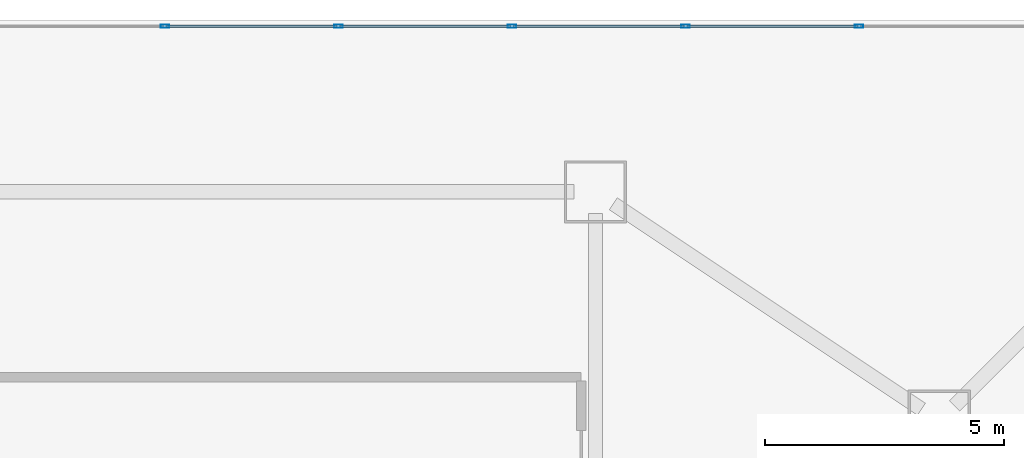
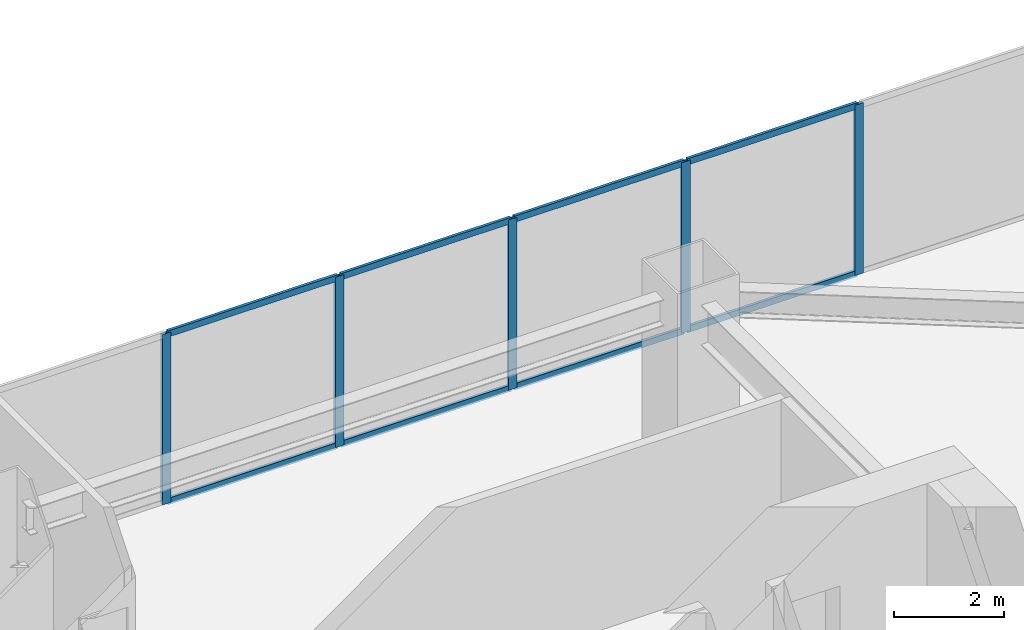
# One storey, part 16 of 32: 13 members, 1 element without a shape of its own.
"""IFC4 building model written with IfcOpenShell, lengths in metres."""

import ifcopenshell
import ifcopenshell.guid

model = None  # the IFC model being written
_history = None  # IfcOwnerHistory: only IFC2X3 demands one
_inside = {}  # id of a spatial element -> (the spatial element, [elements in it])
_under = {}  # id of a project, library or spatial element -> (it, [spatial elements below it])
_declared = {}  # id of a project -> (the project, [libraries it declares])
_typed = {}  # id of a type object -> (the type object, [elements of that type])
_made_of = {}  # id of a material, layer set ... -> (it, [elements and type objects made of it])


def new_model(schema):
    """Start an empty IFC model of exactly this schema.

    Asked for "IFC4X3", IfcOpenShell would pick the latest addendum, in which some entities
    have other attributes; the version numbers below select the first issue.
    IFC2X3 requires an IfcOwnerHistory on every rooted entity: one is made here for all.
    """
    global model, _history
    if schema == "IFC4X3":
        model = ifcopenshell.file(schema_version=(4, 3, 0, 0))
    else:
        model = ifcopenshell.file(schema=schema)
    _inside.clear()
    _under.clear()
    _declared.clear()
    _typed.clear()
    _made_of.clear()
    _history = None
    if model.schema == "IFC2X3":
        org = make("IfcOrganization", Name="unknown")
        user = make(
            "IfcPersonAndOrganization",
            ThePerson=make("IfcPerson", FamilyName="unknown"),
            TheOrganization=org,
        )
        app = make(
            "IfcApplication",
            ApplicationDeveloper=org,
            Version="unknown",
            ApplicationFullName="unknown",
            ApplicationIdentifier="unknown",
        )
        _history = make(
            "IfcOwnerHistory",
            OwningUser=user,
            OwningApplication=app,
            ChangeAction="ADDED",
            CreationDate=0,
        )
    return model


def make(cls, **values):
    """One entity of the class cls with the attributes given. An attribute that is None is left unset."""
    return model.create_entity(
        cls, **{name: value for name, value in values.items() if value is not None}
    )


def rooted(cls, **values):
    """An entity with a GlobalId (a new one), such as an element, a storey or a relation."""
    return make(cls, GlobalId=ifcopenshell.guid.new(), OwnerHistory=_history, **values)


def si_unit(unit_type, name, prefix=None):
    """IfcSIUnit, for example si_unit("LENGTHUNIT", "METRE", prefix="MILLI")."""
    return make("IfcSIUnit", UnitType=unit_type, Prefix=prefix, Name=name)


def assignment(units):
    """IfcUnitAssignment: the units of a project."""
    return None if units is None else make("IfcUnitAssignment", Units=units)


def point(xyz):
    """IfcCartesianPoint."""
    return None if xyz is None else make("IfcCartesianPoint", Coordinates=xyz)


def direction(xyz):
    """IfcDirection."""
    return None if xyz is None else make("IfcDirection", DirectionRatios=xyz)


def frame(location, z_axis=None, x_axis=None):
    """IfcAxis2Placement3D, a coordinate frame: its origin and axes. An axis left out is left unset."""
    return make(
        "IfcAxis2Placement3D",
        Location=point(location),
        Axis=direction(z_axis),
        RefDirection=direction(x_axis),
    )


def frame_2d(location, x_axis=None):
    """IfcAxis2Placement2D, a coordinate frame in the plane: its origin and x axis."""
    return make(
        "IfcAxis2Placement2D", Location=point(location), RefDirection=direction(x_axis)
    )


def origin():
    """The frame at (0, 0, 0) with its axes left unset."""
    return frame((0.0, 0.0, 0.0))


def origin_2d():
    """The frame at (0, 0) in the plane with its x axis left unset."""
    return frame_2d((0.0, 0.0))


def place(relative_to, where):
    """IfcLocalPlacement: puts the frame where relative to a parent placement (None: the world)."""
    return make(
        "IfcLocalPlacement", PlacementRelTo=relative_to, RelativePlacement=where
    )


def context(
    kind, dimensions, precision=None, world=None, true_north=None, identifier=None
):
    """IfcGeometricRepresentationContext, for example the 3D "Model" context."""
    return make(
        "IfcGeometricRepresentationContext",
        ContextIdentifier=identifier,
        ContextType=kind,
        CoordinateSpaceDimension=dimensions,
        Precision=precision,
        WorldCoordinateSystem=world,
        TrueNorth=true_north,
    )


def subcontext(parent, identifier, kind, view, scale=None):
    """IfcGeometricRepresentationSubContext, for example "Body" below "Model"."""
    return make(
        "IfcGeometricRepresentationSubContext",
        ContextIdentifier=identifier,
        ContextType=kind,
        ParentContext=parent,
        TargetScale=scale,
        TargetView=view,
    )


def project(units=None, contexts=None):
    """IfcProject with its units and contexts."""
    return rooted(
        "IfcProject",
        Name="project",
        RepresentationContexts=contexts,
        UnitsInContext=assignment(units),
    )


def spatial(cls, under=None, at=None, **own):
    """A site, building, storey or space (cls), placed at a placement, below another one or the project."""
    s = rooted(cls, ObjectPlacement=at, **own)
    if under is not None:
        _under.setdefault(under.id(), (under, []))[1].append(s)
    return s


def profile(cls, at=None, kind="AREA", **sizes):
    """A parametric profile (cls). Its sizes go by their IFC names, for example OverallWidth=200.0."""
    return make(cls, ProfileType=kind, Position=at, **sizes)


def hollow_rectangle(**sizes):
    """IfcRectangleHollowProfileDef."""
    return profile("IfcRectangleHollowProfileDef", **sizes)


def extrude(swept, where, along, depth):
    """IfcExtrudedAreaSolid: the profile swept, set in the frame where, extruded along a direction by depth."""
    return make(
        "IfcExtrudedAreaSolid",
        SweptArea=swept,
        Position=where,
        ExtrudedDirection=direction(along),
        Depth=depth,
    )


def shape(context_of_items, identifier, shape_type, items):
    """IfcShapeRepresentation: the items that make up one representation, for example the "Body"."""
    return make(
        "IfcShapeRepresentation",
        ContextOfItems=context_of_items,
        RepresentationIdentifier=identifier,
        RepresentationType=shape_type,
        Items=items,
    )


def material(Name=None, Category=None):
    """IfcMaterial."""
    return make("IfcMaterial", Name=Name, Category=Category)


def layer(
    of_material, thickness, ventilated=None, Name=None, Category=None, Priority=None
):
    """IfcMaterialLayer: one layer of a wall or slab, of a material (None: an air gap)."""
    return make(
        "IfcMaterialLayer",
        Material=of_material,
        LayerThickness=thickness,
        IsVentilated=ventilated,
        Name=Name,
        Category=Category,
        Priority=Priority,
    )


def layer_set(layers, Name=None):
    """IfcMaterialLayerSet."""
    return make("IfcMaterialLayerSet", MaterialLayers=layers, LayerSetName=Name)


def material_profile(
    of_material, cross_section, Name=None, Category=None, Priority=None
):
    """IfcMaterialProfile: a cross section and its material."""
    return make(
        "IfcMaterialProfile",
        Name=Name,
        Material=of_material,
        Profile=cross_section,
        Priority=Priority,
        Category=Category,
    )


def profile_set(profiles, Name=None, composite=None):
    """IfcMaterialProfileSet."""
    return make(
        "IfcMaterialProfileSet",
        Name=Name,
        MaterialProfiles=profiles,
        CompositeProfile=composite,
    )


def made_of(thing, what):
    """Note that an element or type object is made of a material, layer set ...; save() writes the relation."""
    if what is not None:
        _made_of.setdefault(what.id(), (what, []))[1].append(thing)
    return thing


def type_object(cls, material=None, **own):
    """A type object (cls), such as IfcWallType, which elements share."""
    return made_of(rooted(cls, **own), material)


def element(
    cls,
    number,
    at=None,
    inside=None,
    cuts=None,
    type_object=None,
    material=None,
    context=None,
    identifier="Body",
    shape_type=None,
    held_by="IfcProductDefinitionShape",
    body=None,
    shapes=None,
    **own,
):
    """One element of the class cls, such as IfcWall. Its Tag is "e" and its number.

    at: its placement. inside: the storey or other place that contains it. cuts: it is an
    opening in that element (IfcRelVoidsElement). A single representation is given by context,
    identifier, shape_type and body (its items); several are given by shapes. held_by: the class
    of the entity that holds the representations. save() writes the other relations.
    """
    e = rooted(cls, Tag="e%d" % number, ObjectPlacement=at, **own)
    if body is not None:
        shapes = [shape(context, identifier, shape_type, body)]
    if shapes is not None:
        e.Representation = make(held_by, Representations=shapes)
    if inside is not None:
        _inside.setdefault(inside.id(), (inside, []))[1].append(e)
    if cuts is not None:
        rooted(
            "IfcRelVoidsElement", RelatingBuildingElement=cuts, RelatedOpeningElement=e
        )
    if type_object is not None:
        _typed.setdefault(type_object.id(), (type_object, []))[1].append(e)
    return made_of(e, material)


def aggregate(whole, parts):
    """IfcRelAggregates: a whole, such as a stair, and the parts it consists of."""
    return rooted("IfcRelAggregates", RelatingObject=whole, RelatedObjects=parts)


def save(model, path):
    """Write the relations noted so far, then the file.

    IfcRelAggregates (storeys below a building ...), IfcRelContainedInSpatialStructure (elements
    in a storey), IfcRelDefinesByType, IfcRelAssociatesMaterial and IfcRelDeclares: one each for
    every whole, place, type object, material and project.
    """
    for whole, parts in _under.values():
        aggregate(whole, parts)
    for where, things in _inside.values():
        rooted(
            "IfcRelContainedInSpatialStructure",
            RelatedElements=things,
            RelatingStructure=where,
        )
    for kind, things in _typed.values():
        rooted("IfcRelDefinesByType", RelatedObjects=things, RelatingType=kind)
    for what, things in _made_of.values():
        rooted("IfcRelAssociatesMaterial", RelatedObjects=things, RelatingMaterial=what)
    for by, libraries in _declared.values():
        rooted("IfcRelDeclares", RelatingContext=by, RelatedDefinitions=libraries)
    model.write(path)


model = new_model("IFC4")

# Units and contexts
model_context = context("Model", 3, precision=1e-05, world=origin(), true_north=direction((0.0, 1.0)))
body_context = subcontext(model_context, "Body", "Model", "MODEL_VIEW")
ifc_project = project(units=[si_unit("LENGTHUNIT", "METRE"), si_unit("AREAUNIT", "SQUARE_METRE"), si_unit("VOLUMEUNIT", "CUBIC_METRE"), si_unit("PLANEANGLEUNIT", "RADIAN"), si_unit("MASSUNIT", "GRAM", prefix="KILO")], contexts=[model_context])

# Site, building, storey
site_placement = place(None, origin())
site = spatial("IfcSite", under=ifc_project, at=site_placement, CompositionType="ELEMENT")
building_placement = place(site_placement, origin())
building = spatial("IfcBuilding", under=site, at=building_placement, Name="Haolan Belvedere Tower", CompositionType="ELEMENT")
storey_placement = place(building_placement, frame((0.0, 0.0, 15.60009765625)))
storey = spatial("IfcBuildingStorey", under=building, at=storey_placement, Name="L03", CompositionType="ELEMENT", Elevation=15.60009765625)

# Curtain wall, members
ifc_material_1 = material(Name="Anodised champagne-silver aluminium 6063-T6 and Low-E glass", Category="aluminium")
ifc_layer = layer(ifc_material_1, 0.179931640625, Name="Anodised champagne-silver aluminium 6063-T6 and Low-E glass")
ifc_layer_set = layer_set([ifc_layer], Name="Anodised champagne-silver aluminium 6063-T6 and Low-E glass")
curtain_wall_type = type_object("IfcCurtainWallType", Name="CW-SYS-01", PredefinedType="NOTDEFINED", material=ifc_layer_set)
curtain_wall_placement = place(storey_placement, origin())
curtain_wall = element("IfcCurtainWall", 1, at=curtain_wall_placement, inside=storey, type_object=curtain_wall_type, Name="L03 CW-SYS-01 ribbon curtain wall 3.1", PredefinedType="NOTDEFINED")
ifc_material_2 = material(Name="Anodised aluminium 6063-T6", Category="aluminium")
ifc_material_profile_1 = material_profile(ifc_material_2, hollow_rectangle(XDim=0.06494140625, YDim=0.179931640625, WallThickness=0.00390625, at=origin_2d()), Name="Anodised aluminium 6063-T6")
ifc_profile_set_1 = profile_set([ifc_material_profile_1], Name="Anodised aluminium 6063-T6")
member_type_1 = type_object("IfcMemberType", Name="CW-SYS-01-MUL", PredefinedType="MULLION", material=ifc_profile_set_1)
member_1_placement = place(storey_placement, frame((51.12158203125, 53.8701171875, 0.0), z_axis=(0.0, 0.0, 1.0), x_axis=(0.0, -1.0, 0.0)))
member_1 = element("IfcMember", 2, at=member_1_placement, type_object=member_type_1, Name="CW-01 mullion 7", PredefinedType="MULLION", context=body_context, shape_type="SweptSolid", body=[
    extrude(hollow_rectangle(XDim=0.06494140625, YDim=0.179931640625, WallThickness=0.00390625, at=origin_2d()), origin(), (0.0, 0.0, 1.0), 3.77978515625),
])
member_2_placement = place(storey_placement, frame((47.48681640625, 53.8701171875, 0.0), z_axis=(0.0, 0.0, 1.0), x_axis=(0.0, -1.0, 0.0)))
member_2 = element("IfcMember", 3, at=member_2_placement, type_object=member_type_1, Name="CW-01 mullion 8", PredefinedType="MULLION", context=body_context, shape_type="SweptSolid", body=[
    extrude(hollow_rectangle(XDim=0.06494140625, YDim=0.179931640625, WallThickness=0.00390625, at=origin_2d()), origin(), (0.0, 0.0, 1.0), 3.77978515625),
])
member_3_placement = place(storey_placement, frame((43.85205078125, 53.8701171875, 0.0), z_axis=(0.0, 0.0, 1.0), x_axis=(0.0, -1.0, 0.0)))
member_3 = element("IfcMember", 4, at=member_3_placement, type_object=member_type_1, Name="CW-01 mullion 9", PredefinedType="MULLION", context=body_context, shape_type="SweptSolid", body=[
    extrude(hollow_rectangle(XDim=0.06494140625, YDim=0.179931640625, WallThickness=0.00390625, at=origin_2d()), origin(), (0.0, 0.0, 1.0), 3.77978515625),
])
member_4_placement = place(storey_placement, frame((40.21728515625, 53.8701171875, 0.0), z_axis=(0.0, 0.0, 1.0), x_axis=(0.0, -1.0, 0.0)))
member_4 = element("IfcMember", 5, at=member_4_placement, type_object=member_type_1, Name="CW-01 mullion 10", PredefinedType="MULLION", context=body_context, shape_type="SweptSolid", body=[
    extrude(hollow_rectangle(XDim=0.06494140625, YDim=0.179931640625, WallThickness=0.00390625, at=origin_2d()), origin(), (0.0, 0.0, 1.0), 3.77978515625),
])
member_5_placement = place(storey_placement, frame((36.58251953125, 53.8701171875, 0.0), z_axis=(0.0, 0.0, 1.0), x_axis=(0.0, -1.0, 0.0)))
member_5 = element("IfcMember", 6, at=member_5_placement, type_object=member_type_1, Name="CW-01 mullion 11", PredefinedType="MULLION", context=body_context, shape_type="SweptSolid", body=[
    extrude(hollow_rectangle(XDim=0.06494140625, YDim=0.179931640625, WallThickness=0.00390625, at=origin_2d()), origin(), (0.0, 0.0, 1.0), 3.77978515625),
])
ifc_material_profile_2 = material_profile(ifc_material_2, hollow_rectangle(XDim=0.06005859375, YDim=0.139892578125, WallThickness=0.00390625, at=origin_2d()), Name="Anodised aluminium 6063-T6")
ifc_profile_set_2 = profile_set([ifc_material_profile_2], Name="Anodised aluminium 6063-T6")
member_type_2 = type_object("IfcMemberType", Name="CW-SYS-01-TRN", PredefinedType="USERDEFINED", material=ifc_profile_set_2)
member_6_placement = place(storey_placement, frame((51.089111328125, 53.8701171875, 0.02978515625), z_axis=(-1.0, 0.0, 0.0), x_axis=(0.0, -1.0, 0.0)))
member_6 = element("IfcMember", 7, at=member_6_placement, type_object=member_type_2, Name="CW-01 transom 7.1", ObjectType="TRANSOM", PredefinedType="USERDEFINED", context=body_context, shape_type="SweptSolid", body=[
    extrude(hollow_rectangle(XDim=0.06005859375, YDim=0.139892578125, WallThickness=0.00390625, at=origin_2d()), origin(), (0.0, 0.0, 1.0), 3.56982421875),
])
member_7_placement = place(storey_placement, frame((51.089111328125, 53.8701171875, 3.75), z_axis=(-1.0, 0.0, 0.0), x_axis=(0.0, -1.0, 0.0)))
member_7 = element("IfcMember", 8, at=member_7_placement, type_object=member_type_2, Name="CW-01 transom 7.2", ObjectType="TRANSOM", PredefinedType="USERDEFINED", context=body_context, shape_type="SweptSolid", body=[
    extrude(hollow_rectangle(XDim=0.06005859375, YDim=0.139892578125, WallThickness=0.00390625, at=origin_2d()), origin(), (0.0, 0.0, 1.0), 3.56982421875),
])
member_8_placement = place(storey_placement, frame((47.454345703125, 53.8701171875, 0.02978515625), z_axis=(-1.0, 0.0, 0.0), x_axis=(0.0, -1.0, 0.0)))
member_8 = element("IfcMember", 9, at=member_8_placement, type_object=member_type_2, Name="CW-01 transom 8.1", ObjectType="TRANSOM", PredefinedType="USERDEFINED", context=body_context, shape_type="SweptSolid", body=[
    extrude(hollow_rectangle(XDim=0.06005859375, YDim=0.139892578125, WallThickness=0.00390625, at=origin_2d()), origin(), (0.0, 0.0, 1.0), 3.56982421875),
])
member_9_placement = place(storey_placement, frame((47.454345703125, 53.8701171875, 3.75), z_axis=(-1.0, 0.0, 0.0), x_axis=(0.0, -1.0, 0.0)))
member_9 = element("IfcMember", 10, at=member_9_placement, type_object=member_type_2, Name="CW-01 transom 8.2", ObjectType="TRANSOM", PredefinedType="USERDEFINED", context=body_context, shape_type="SweptSolid", body=[
    extrude(hollow_rectangle(XDim=0.06005859375, YDim=0.139892578125, WallThickness=0.00390625, at=origin_2d()), origin(), (0.0, 0.0, 1.0), 3.56982421875),
])
member_10_placement = place(storey_placement, frame((43.819580078125, 53.8701171875, 0.02978515625), z_axis=(-1.0, 0.0, 0.0), x_axis=(0.0, -1.0, 0.0)))
member_10 = element("IfcMember", 11, at=member_10_placement, type_object=member_type_2, Name="CW-01 transom 9.1", ObjectType="TRANSOM", PredefinedType="USERDEFINED", context=body_context, shape_type="SweptSolid", body=[
    extrude(hollow_rectangle(XDim=0.06005859375, YDim=0.139892578125, WallThickness=0.00390625, at=origin_2d()), origin(), (0.0, 0.0, 1.0), 3.56982421875),
])
member_11_placement = place(storey_placement, frame((43.819580078125, 53.8701171875, 3.75), z_axis=(-1.0, 0.0, 0.0), x_axis=(0.0, -1.0, 0.0)))
member_11 = element("IfcMember", 12, at=member_11_placement, type_object=member_type_2, Name="CW-01 transom 9.2", ObjectType="TRANSOM", PredefinedType="USERDEFINED", context=body_context, shape_type="SweptSolid", body=[
    extrude(hollow_rectangle(XDim=0.06005859375, YDim=0.139892578125, WallThickness=0.00390625, at=origin_2d()), origin(), (0.0, 0.0, 1.0), 3.56982421875),
])
member_12_placement = place(storey_placement, frame((40.184814453125, 53.8701171875, 0.02978515625), z_axis=(-1.0, 0.0, 0.0), x_axis=(0.0, -1.0, 0.0)))
member_12 = element("IfcMember", 13, at=member_12_placement, type_object=member_type_2, Name="CW-01 transom 10.1", ObjectType="TRANSOM", PredefinedType="USERDEFINED", context=body_context, shape_type="SweptSolid", body=[
    extrude(hollow_rectangle(XDim=0.06005859375, YDim=0.139892578125, WallThickness=0.00390625, at=origin_2d()), origin(), (0.0, 0.0, 1.0), 3.569580078125),
])
member_13_placement = place(storey_placement, frame((40.184814453125, 53.8701171875, 3.75), z_axis=(-1.0, 0.0, 0.0), x_axis=(0.0, -1.0, 0.0)))
member_13 = element("IfcMember", 14, at=member_13_placement, type_object=member_type_2, Name="CW-01 transom 10.2", ObjectType="TRANSOM", PredefinedType="USERDEFINED", context=body_context, shape_type="SweptSolid", body=[
    extrude(hollow_rectangle(XDim=0.06005859375, YDim=0.139892578125, WallThickness=0.00390625, at=origin_2d()), origin(), (0.0, 0.0, 1.0), 3.569580078125),
])
aggregate(curtain_wall, [member_1, member_2, member_3, member_4, member_5, member_6, member_7, member_8, member_9, member_10, member_11, member_12, member_13])

save(model, "model.ifc")
